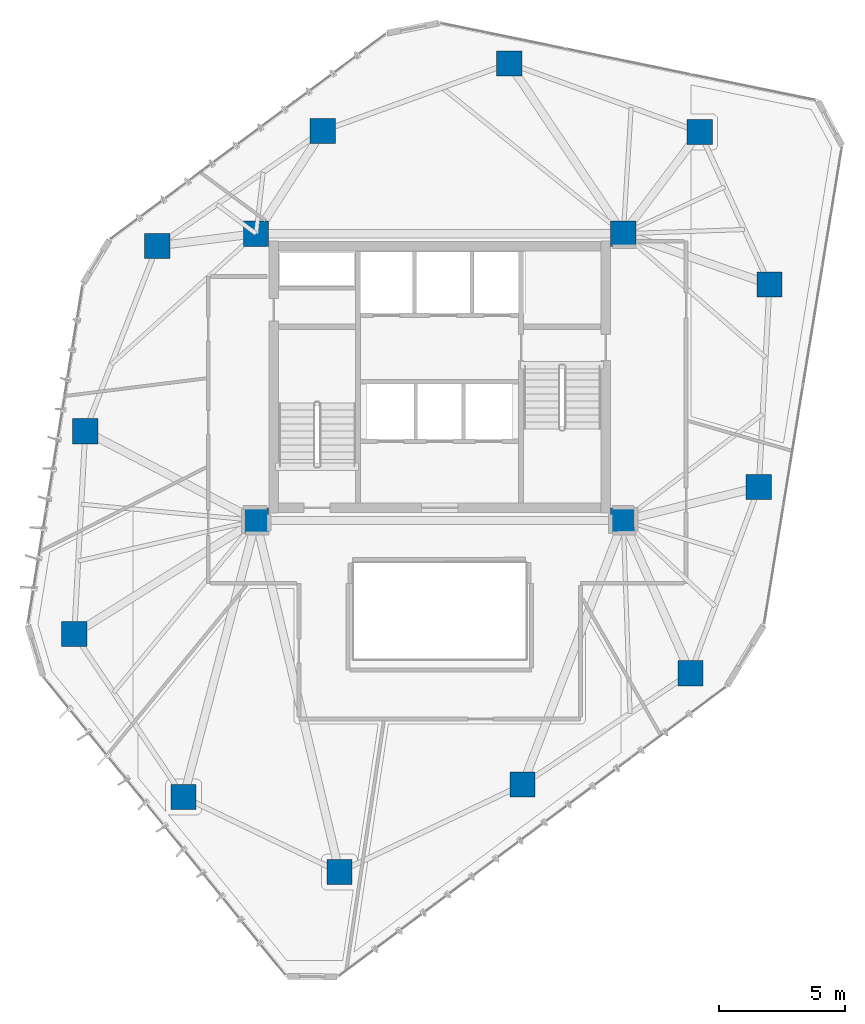
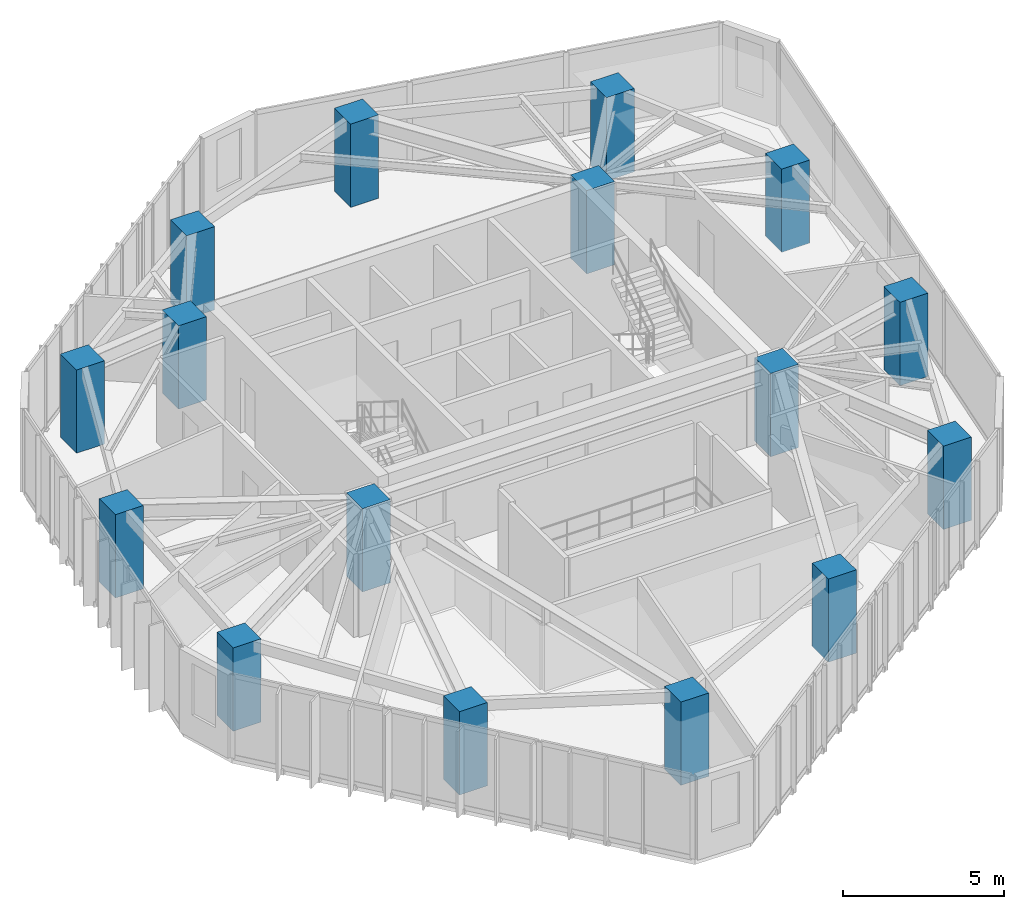
# One storey, part 1 of 20: 16 columns.
"""IFC4 building model written with IfcOpenShell, lengths in metres."""

from ifc_helpers import new_model, si_unit, direction, frame, origin, origin_2d, place, context, subcontext, project, spatial, rectangle, extrude, material, material_profile, profile_set, type_object, element, save


model = new_model("IFC4")

# Units and contexts
model_context = context("Model", 3, precision=1e-05, world=origin(), true_north=direction((0.0, 1.0)))
body_context = subcontext(model_context, "Body", "Model", "MODEL_VIEW")
ifc_project = project(units=[si_unit("LENGTHUNIT", "METRE"), si_unit("AREAUNIT", "SQUARE_METRE"), si_unit("VOLUMEUNIT", "CUBIC_METRE"), si_unit("PLANEANGLEUNIT", "RADIAN"), si_unit("MASSUNIT", "GRAM", prefix="KILO")], contexts=[model_context])

# Site, building, storey
site_placement = place(None, origin())
site = spatial("IfcSite", under=ifc_project, at=site_placement, CompositionType="ELEMENT")
building_placement = place(site_placement, origin())
building = spatial("IfcBuilding", under=site, at=building_placement, Name="Talar Marvaseh", CompositionType="ELEMENT")
storey_placement = place(building_placement, frame((0.0, 0.0, 198.5)))
storey = spatial("IfcBuildingStorey", under=building, at=storey_placement, Name="L52", CompositionType="ELEMENT", Elevation=198.5)

# Columns
ifc_material = material(Name="Concrete C60/75", Category="concrete")
ifc_material_profile = material_profile(ifc_material, rectangle(XDim=1.0, YDim=1.0, at=origin_2d()), Name="RC1000x1000")
ifc_profile_set = profile_set([ifc_material_profile], Name="Concrete C60/75")
column_type = type_object("IfcColumnType", Name="Zone 3 Tube Column RC1000x1000", PredefinedType="COLUMN", material=ifc_profile_set)
for number, where, z_axis, x_axis, name in (
    (1, (28.76611328125, 43.66796875, 0.0), (0.0, 0.0, 1.0), (1.0, 0.0, 0.0), "L52 Zone 3 Tube Column RC1000x1000"),
    (2, (36.341064453125, 40.94189453125, 0.0), (0.0, 0.0, 1.0), (1.0, 0.0, 0.0), "L52 Zone 3 Tube Column RC1000x1000"),
    (3, (39.113037109375, 34.884033203125, 0.0), (0.0, 0.0, 1.0), (1.0, 0.0, 0.0), "L52 Zone 3 Tube Column RC1000x1000"),
    (4, (38.68896484375, 26.823974609375, 0.0), (0.0, 0.0, 1.0), (1.0, 0.0, 0.0), "L52 Zone 3 Tube Column RC1000x1000"),
    (5, (35.970947265625, 19.423095703125, 0.0), (0.0, 0.0, 1.0), (1.0, 0.0, 0.0), "L52 Zone 3 Tube Column RC1000x1000"),
    (6, (29.299072265625, 14.993896484375, 0.0), (0.0, 0.0, 1.0), (1.0, 0.0, 0.0), "L52 Zone 3 Tube Column RC1000x1000"),
    (7, (22.014892578125, 11.51904296875, 0.0), (0.0, 0.0, 1.0), (1.0, 0.0, 0.0), "L52 Zone 3 Tube Column RC1000x1000"),
    (8, (15.819091796875, 14.5009765625, 0.0), (0.0, 0.0, 1.0), (1.0, 0.0, 0.0), "L52 Zone 3 Tube Column RC1000x1000"),
    (9, (11.471923828125, 20.986083984375, 0.0), (0.0, 0.0, 1.0), (1.0, 0.0, 0.0), "L52 Zone 3 Tube Column RC1000x1000"),
    (10, (11.908935546875, 29.044921875, 0.0), (0.0, 0.0, 1.0), (1.0, 0.0, 0.0), "L52 Zone 3 Tube Column RC1000x1000"),
    (11, (14.77294921875, 36.416015625, 0.0), (0.0, 0.0, 1.0), (1.0, 0.0, 0.0), "L52 Zone 3 Tube Column RC1000x1000"),
    (12, (21.35205078125, 40.986083984375, 0.0), (0.0, 0.0, 1.0), (1.0, 0.0, 0.0), "L52 Zone 3 Tube Column RC1000x1000"),
    (13, (18.699951171875, 25.5, 0.0), (0.0, 0.0, 1.0), (1.0, 0.0, 0.0), "L52 Zone 3 Tube Column RC1000x1000"),
    (14, (33.300048828125, 25.5, 0.0), (0.0, 0.0, 1.0), (1.0, 0.0, 0.0), "L52 Zone 3 Tube Column RC1000x1000"),
    (15, (33.300048828125, 36.89990234375, 0.0), (0.0, 0.0, 1.0), (1.0, 0.0, 0.0), "L52 Zone 3 Tube Column RC1000x1000"),
    (16, (18.699951171875, 36.89990234375, 0.0), (0.0, 0.0, 1.0), (1.0, 0.0, 0.0), "L52 Zone 3 Tube Column RC1000x1000"),
):
    element("IfcColumn", number, at=place(storey_placement, frame(where, z_axis=z_axis, x_axis=x_axis)), inside=storey, type_object=column_type, Name=name, PredefinedType="COLUMN", context=body_context, shape_type="SweptSolid", body=[
        extrude(rectangle(XDim=1.0, YDim=1.0, at=origin_2d()), origin(), (0.0, 0.0, 1.0), 3.14990234375),
    ])

save(model, "model.ifc")
